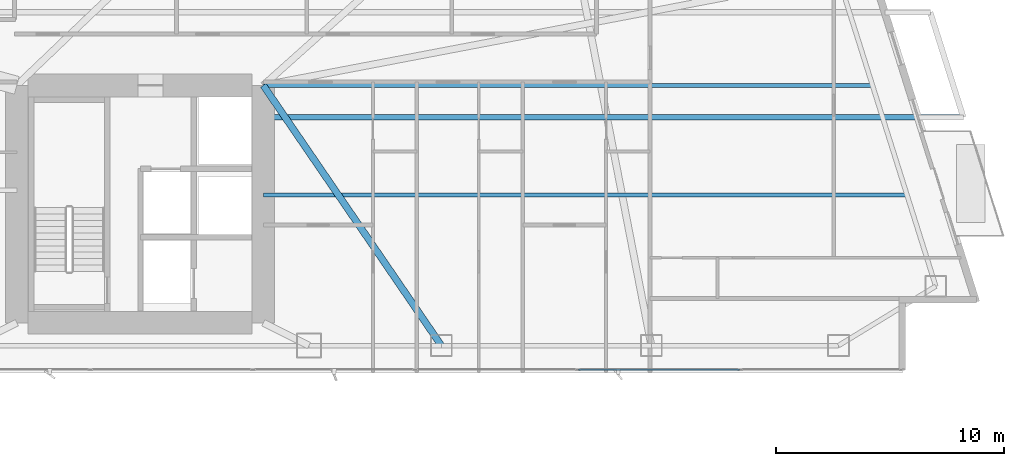
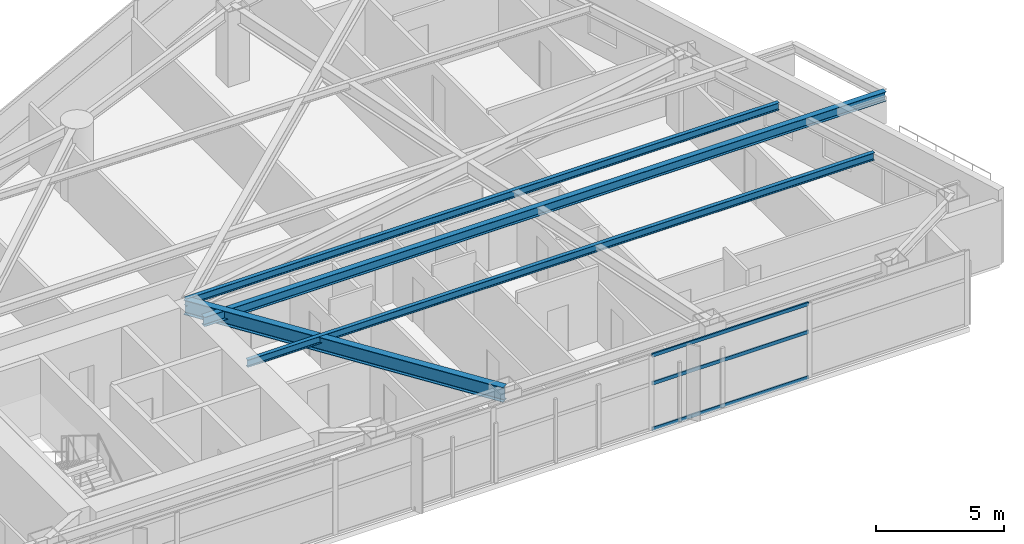
# One storey, part 13 of 30: 4 beams, 3 members, 1 element without a shape of its own.
"""IFC4 building model written with IfcOpenShell, lengths in metres."""

from ifc_helpers import new_model, si_unit, direction, frame, origin, origin_2d, place, context, subcontext, project, spatial, hollow_rectangle, i_section, extrude, material, layer, layer_set, material_profile, profile_set, type_object, element, aggregate, save


model = new_model("IFC4")

# Units and contexts
model_context = context("Model", 3, precision=1e-05, world=origin(), true_north=direction((0.0, 1.0)))
body_context = subcontext(model_context, "Body", "Model", "MODEL_VIEW")
ifc_project = project(units=[si_unit("LENGTHUNIT", "METRE"), si_unit("AREAUNIT", "SQUARE_METRE"), si_unit("VOLUMEUNIT", "CUBIC_METRE"), si_unit("PLANEANGLEUNIT", "RADIAN"), si_unit("MASSUNIT", "GRAM", prefix="KILO")], contexts=[model_context])

# Site, building, storey
site_placement = place(None, origin())
site = spatial("IfcSite", under=ifc_project, at=site_placement, CompositionType="ELEMENT")
building_placement = place(site_placement, origin())
building = spatial("IfcBuilding", under=site, at=building_placement, Name="Calvorn Quay Hotel", CompositionType="ELEMENT")
storey_placement = place(building_placement, frame((0.0, 0.0, 54.60009765625)))
storey = spatial("IfcBuildingStorey", under=building, at=storey_placement, Name="L12", CompositionType="ELEMENT", Elevation=54.60009765625)

# Beams
ifc_material_1 = material(Name="Steel Q355B", Category="steel")
ifc_material_profile_1 = material_profile(ifc_material_1, i_section(OverallWidth=0.25, OverallDepth=0.449951171875, WebThickness=0.011962890625, FlangeThickness=0.01611328125, FilletRadius=0.01611328125, at=origin_2d()), Name="HN450x250x12x16")
ifc_profile_set_1 = profile_set([ifc_material_profile_1], Name="Steel Q355B")
beam_type_1 = type_object("IfcBeamType", Name="BM-CANT-BALC", PredefinedType="BEAM", material=ifc_profile_set_1)
beam_1_placement = place(storey_placement, frame((32.39990234375, 13.60009765625, 3.31494140625), z_axis=(1.0, 0.0, 0.0), x_axis=(0.0, 1.0, 0.0)))
element("IfcBeam", 1, at=beam_1_placement, inside=storey, type_object=beam_type_1, Name="Cantilever Balcony Beam BCB-L13-1A", PredefinedType="BEAM", context=body_context, shape_type="SweptSolid", body=[
    extrude(i_section(OverallWidth=0.25, OverallDepth=0.449951171875, WebThickness=0.011962890625, FlangeThickness=0.01611328125, FilletRadius=0.01611328125, at=origin_2d()), origin(), (0.0, 0.0, 1.0), 30.669189453125),
])
ifc_material_2 = material(Name="Steel Q390GJC", Category="steel")
ifc_material_profile_2 = material_profile(ifc_material_2, i_section(OverallWidth=0.300048828125, OverallDepth=0.699951171875, WebThickness=0.012939453125, FlangeThickness=0.02392578125, FilletRadius=0.02392578125, at=origin_2d()), Name="HN700x300x13x24")
ifc_profile_set_2 = profile_set([ifc_material_profile_2], Name="Steel Q390GJC")
beam_type_2 = type_object("IfcBeamType", Name="BM-GIRD-MAIN", PredefinedType="BEAM", material=ifc_profile_set_2)
beam_2_placement = place(storey_placement, frame((40.199951171875, 3.60009765625, 3.18994140625), z_axis=(-0.564689618177, 0.825303359452, 0.0), x_axis=(-0.825303359452, -0.564689618177, 0.0)))
element("IfcBeam", 2, at=beam_2_placement, inside=storey, type_object=beam_type_2, Name="Beam BG-L12-E6", PredefinedType="BEAM", context=body_context, shape_type="SweptSolid", body=[
    extrude(i_section(OverallWidth=0.300048828125, OverallDepth=0.699951171875, WebThickness=0.012939453125, FlangeThickness=0.02392578125, FilletRadius=0.02392578125, at=origin_2d()), origin(), (0.0, 0.0, 1.0), 13.81298828125),
])
ifc_material_3 = material(Name="Steel Q355B", Category="steel")
ifc_material_profile_3 = material_profile(ifc_material_3, i_section(OverallWidth=0.175048828125, OverallDepth=0.35009765625, WebThickness=0.007080078125, FlangeThickness=0.010986328125, FilletRadius=0.013916015625, at=origin_2d()), Name="HN350x175x7x11")
ifc_profile_set_3 = profile_set([ifc_material_profile_3], Name="Steel Q355B")
beam_type_3 = type_object("IfcBeamType", Name="BM-JOIST-SEC", PredefinedType="JOIST", material=ifc_profile_set_3)
beam_3_placement = place(storey_placement, frame((32.39990234375, 10.199951171875, 3.364990234375), z_axis=(1.0, 0.0, 0.0), x_axis=(0.0, 1.0, 0.0)))
element("IfcBeam", 3, at=beam_3_placement, inside=storey, type_object=beam_type_3, Name="Beam BJ-L12-E1", PredefinedType="JOIST", context=body_context, shape_type="SweptSolid", body=[
    extrude(i_section(OverallWidth=0.175048828125, OverallDepth=0.35009765625, WebThickness=0.007080078125, FlangeThickness=0.010986328125, FilletRadius=0.013916015625, at=origin_2d()), origin(), (0.0, 0.0, 1.0), 28.201171875),
])
beam_4_placement = place(storey_placement, frame((32.39990234375, 15.0, 3.364990234375), z_axis=(1.0, 0.0, 0.0), x_axis=(0.0, 1.0, 0.0)))
element("IfcBeam", 4, at=beam_4_placement, inside=storey, type_object=beam_type_3, Name="Beam BJ-L12-E2", PredefinedType="JOIST", context=body_context, shape_type="SweptSolid", body=[
    extrude(i_section(OverallWidth=0.175048828125, OverallDepth=0.35009765625, WebThickness=0.007080078125, FlangeThickness=0.010986328125, FilletRadius=0.013916015625, at=origin_2d()), origin(), (0.0, 0.0, 1.0), 26.68798828125),
])

# Curtain wall, members
ifc_material_4 = material(Name="Pale Anodised Aluminium and Low-E Glass", Category="aluminium")
ifc_layer = layer(ifc_material_4, 0.219970703125)
ifc_layer_set = layer_set([ifc_layer], Name="CW-SYS-Z1")
curtain_wall_type = type_object("IfcCurtainWallType", Name="CW-SYS-Z1", PredefinedType="NOTDEFINED", material=ifc_layer_set)
curtain_wall_placement = place(storey_placement, origin())
curtain_wall = element("IfcCurtainWall", 5, at=curtain_wall_placement, inside=storey, type_object=curtain_wall_type, Name="Tower South Waterfront Curtain Wall (L12)", PredefinedType="NOTDEFINED")
ifc_material_5 = material(Name="Pale Anodised Aluminium 6063-T6", Category="aluminium")
ifc_material_profile_4 = material_profile(ifc_material_5, hollow_rectangle(XDim=0.06494140625, YDim=0.1650390625, WallThickness=0.00341796875, at=origin_2d()), Name="ALU-T165x65x3.5")
ifc_profile_set_4 = profile_set([ifc_material_profile_4], Name="Pale Anodised Aluminium 6063-T6")
member_type = type_object("IfcMemberType", Name="CW-SYS-Z1-TRN", PredefinedType="USERDEFINED", material=ifc_profile_set_4)
member_1_placement = place(storey_placement, frame((46.201416015625, 2.550048828125, 0.02978515625), z_axis=(1.0, 0.0, 0.0), x_axis=(0.0, 1.0, 0.0)))
member_1 = element("IfcMember", 6, at=member_1_placement, type_object=member_type, Name="CW-L12-S transom 6.1", ObjectType="TRANSOM", PredefinedType="USERDEFINED", context=body_context, shape_type="SweptSolid", body=[
    extrude(hollow_rectangle(XDim=0.06494140625, YDim=0.1650390625, WallThickness=0.00341796875, at=origin_2d()), origin(), (0.0, 0.0, 1.0), 7.05419921875),
])
member_2_placement = place(storey_placement, frame((46.201416015625, 2.550048828125, 2.199951171875), z_axis=(1.0, 0.0, 0.0), x_axis=(0.0, 1.0, 0.0)))
member_2 = element("IfcMember", 7, at=member_2_placement, type_object=member_type, Name="CW-L12-S transom 6.2", ObjectType="TRANSOM", PredefinedType="USERDEFINED", context=body_context, shape_type="SweptSolid", body=[
    extrude(hollow_rectangle(XDim=0.06494140625, YDim=0.1650390625, WallThickness=0.00341796875, at=origin_2d()), origin(), (0.0, 0.0, 1.0), 7.05419921875),
])
member_3_placement = place(storey_placement, frame((46.201416015625, 2.550048828125, 3.52978515625), z_axis=(1.0, 0.0, 0.0), x_axis=(0.0, 1.0, 0.0)))
member_3 = element("IfcMember", 8, at=member_3_placement, type_object=member_type, Name="CW-L12-S transom 6.3", ObjectType="TRANSOM", PredefinedType="USERDEFINED", context=body_context, shape_type="SweptSolid", body=[
    extrude(hollow_rectangle(XDim=0.06494140625, YDim=0.1650390625, WallThickness=0.00341796875, at=origin_2d()), origin(), (0.0, 0.0, 1.0), 7.05419921875),
])
aggregate(curtain_wall, [member_1, member_2, member_3])

save(model, "model.ifc")
